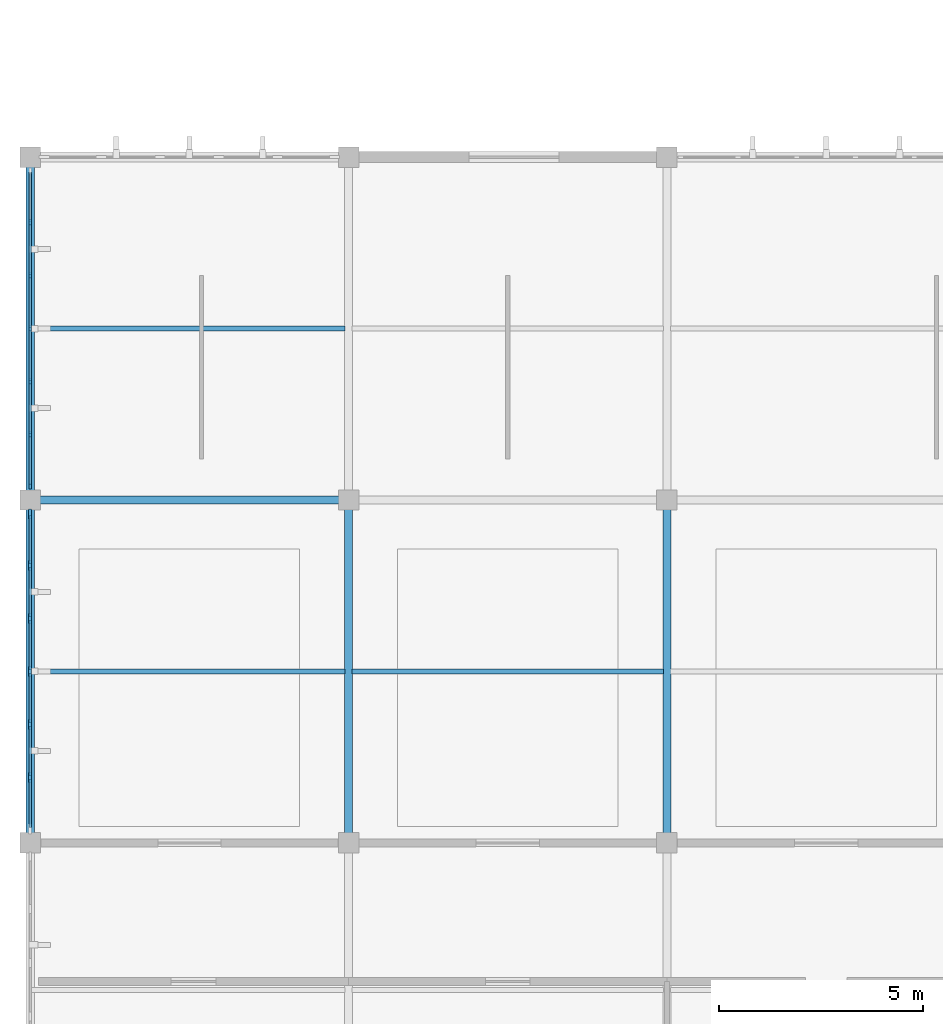
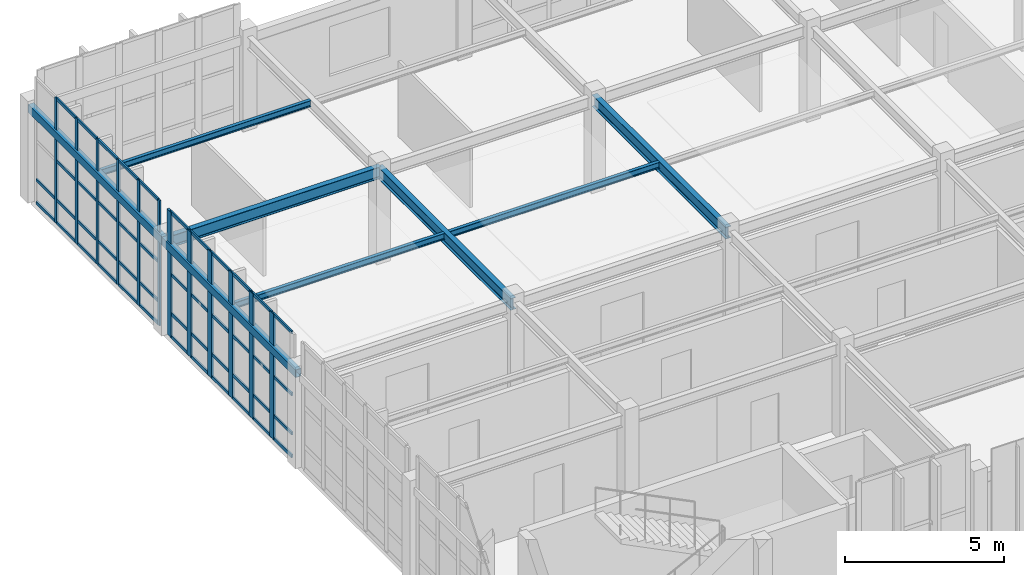
# One storey, part 3 of 20: 58 members, 8 beams, 2 elements without a shape of their own.
"""IFC4 building model written with IfcOpenShell, lengths in metres."""

import ifcopenshell
import ifcopenshell.guid

model = None  # the IFC model being written
_history = None  # IfcOwnerHistory: only IFC2X3 demands one
_inside = {}  # id of a spatial element -> (the spatial element, [elements in it])
_under = {}  # id of a project, library or spatial element -> (it, [spatial elements below it])
_declared = {}  # id of a project -> (the project, [libraries it declares])
_typed = {}  # id of a type object -> (the type object, [elements of that type])
_made_of = {}  # id of a material, layer set ... -> (it, [elements and type objects made of it])


def new_model(schema):
    """Start an empty IFC model of exactly this schema.

    Asked for "IFC4X3", IfcOpenShell would pick the latest addendum, in which some entities
    have other attributes; the version numbers below select the first issue.
    IFC2X3 requires an IfcOwnerHistory on every rooted entity: one is made here for all.
    """
    global model, _history
    if schema == "IFC4X3":
        model = ifcopenshell.file(schema_version=(4, 3, 0, 0))
    else:
        model = ifcopenshell.file(schema=schema)
    _inside.clear()
    _under.clear()
    _declared.clear()
    _typed.clear()
    _made_of.clear()
    _history = None
    if model.schema == "IFC2X3":
        org = make("IfcOrganization", Name="unknown")
        user = make(
            "IfcPersonAndOrganization",
            ThePerson=make("IfcPerson", FamilyName="unknown"),
            TheOrganization=org,
        )
        app = make(
            "IfcApplication",
            ApplicationDeveloper=org,
            Version="unknown",
            ApplicationFullName="unknown",
            ApplicationIdentifier="unknown",
        )
        _history = make(
            "IfcOwnerHistory",
            OwningUser=user,
            OwningApplication=app,
            ChangeAction="ADDED",
            CreationDate=0,
        )
    return model


def make(cls, **values):
    """One entity of the class cls with the attributes given. An attribute that is None is left unset."""
    return model.create_entity(
        cls, **{name: value for name, value in values.items() if value is not None}
    )


def rooted(cls, **values):
    """An entity with a GlobalId (a new one), such as an element, a storey or a relation."""
    return make(cls, GlobalId=ifcopenshell.guid.new(), OwnerHistory=_history, **values)


def si_unit(unit_type, name, prefix=None):
    """IfcSIUnit, for example si_unit("LENGTHUNIT", "METRE", prefix="MILLI")."""
    return make("IfcSIUnit", UnitType=unit_type, Prefix=prefix, Name=name)


def assignment(units):
    """IfcUnitAssignment: the units of a project."""
    return None if units is None else make("IfcUnitAssignment", Units=units)


def point(xyz):
    """IfcCartesianPoint."""
    return None if xyz is None else make("IfcCartesianPoint", Coordinates=xyz)


def direction(xyz):
    """IfcDirection."""
    return None if xyz is None else make("IfcDirection", DirectionRatios=xyz)


def frame(location, z_axis=None, x_axis=None):
    """IfcAxis2Placement3D, a coordinate frame: its origin and axes. An axis left out is left unset."""
    return make(
        "IfcAxis2Placement3D",
        Location=point(location),
        Axis=direction(z_axis),
        RefDirection=direction(x_axis),
    )


def frame_2d(location, x_axis=None):
    """IfcAxis2Placement2D, a coordinate frame in the plane: its origin and x axis."""
    return make(
        "IfcAxis2Placement2D", Location=point(location), RefDirection=direction(x_axis)
    )


def origin():
    """The frame at (0, 0, 0) with its axes left unset."""
    return frame((0.0, 0.0, 0.0))


def origin_2d():
    """The frame at (0, 0) in the plane with its x axis left unset."""
    return frame_2d((0.0, 0.0))


def place(relative_to, where):
    """IfcLocalPlacement: puts the frame where relative to a parent placement (None: the world)."""
    return make(
        "IfcLocalPlacement", PlacementRelTo=relative_to, RelativePlacement=where
    )


def context(
    kind, dimensions, precision=None, world=None, true_north=None, identifier=None
):
    """IfcGeometricRepresentationContext, for example the 3D "Model" context."""
    return make(
        "IfcGeometricRepresentationContext",
        ContextIdentifier=identifier,
        ContextType=kind,
        CoordinateSpaceDimension=dimensions,
        Precision=precision,
        WorldCoordinateSystem=world,
        TrueNorth=true_north,
    )


def subcontext(parent, identifier, kind, view, scale=None):
    """IfcGeometricRepresentationSubContext, for example "Body" below "Model"."""
    return make(
        "IfcGeometricRepresentationSubContext",
        ContextIdentifier=identifier,
        ContextType=kind,
        ParentContext=parent,
        TargetScale=scale,
        TargetView=view,
    )


def project(units=None, contexts=None):
    """IfcProject with its units and contexts."""
    return rooted(
        "IfcProject",
        Name="project",
        RepresentationContexts=contexts,
        UnitsInContext=assignment(units),
    )


def spatial(cls, under=None, at=None, **own):
    """A site, building, storey or space (cls), placed at a placement, below another one or the project."""
    s = rooted(cls, ObjectPlacement=at, **own)
    if under is not None:
        _under.setdefault(under.id(), (under, []))[1].append(s)
    return s


def profile(cls, at=None, kind="AREA", **sizes):
    """A parametric profile (cls). Its sizes go by their IFC names, for example OverallWidth=200.0."""
    return make(cls, ProfileType=kind, Position=at, **sizes)


def rectangle(**sizes):
    """IfcRectangleProfileDef."""
    return profile("IfcRectangleProfileDef", **sizes)


def hollow_rectangle(**sizes):
    """IfcRectangleHollowProfileDef."""
    return profile("IfcRectangleHollowProfileDef", **sizes)


def i_section(**sizes):
    """IfcIShapeProfileDef."""
    return profile("IfcIShapeProfileDef", **sizes)


def extrude(swept, where, along, depth):
    """IfcExtrudedAreaSolid: the profile swept, set in the frame where, extruded along a direction by depth."""
    return make(
        "IfcExtrudedAreaSolid",
        SweptArea=swept,
        Position=where,
        ExtrudedDirection=direction(along),
        Depth=depth,
    )


def shape(context_of_items, identifier, shape_type, items):
    """IfcShapeRepresentation: the items that make up one representation, for example the "Body"."""
    return make(
        "IfcShapeRepresentation",
        ContextOfItems=context_of_items,
        RepresentationIdentifier=identifier,
        RepresentationType=shape_type,
        Items=items,
    )


def material(Name=None, Category=None):
    """IfcMaterial."""
    return make("IfcMaterial", Name=Name, Category=Category)


def material_profile(
    of_material, cross_section, Name=None, Category=None, Priority=None
):
    """IfcMaterialProfile: a cross section and its material."""
    return make(
        "IfcMaterialProfile",
        Name=Name,
        Material=of_material,
        Profile=cross_section,
        Priority=Priority,
        Category=Category,
    )


def profile_set(profiles, Name=None, composite=None):
    """IfcMaterialProfileSet."""
    return make(
        "IfcMaterialProfileSet",
        Name=Name,
        MaterialProfiles=profiles,
        CompositeProfile=composite,
    )


def made_of(thing, what):
    """Note that an element or type object is made of a material, layer set ...; save() writes the relation."""
    if what is not None:
        _made_of.setdefault(what.id(), (what, []))[1].append(thing)
    return thing


def type_object(cls, material=None, **own):
    """A type object (cls), such as IfcWallType, which elements share."""
    return made_of(rooted(cls, **own), material)


def element(
    cls,
    number,
    at=None,
    inside=None,
    cuts=None,
    type_object=None,
    material=None,
    context=None,
    identifier="Body",
    shape_type=None,
    held_by="IfcProductDefinitionShape",
    body=None,
    shapes=None,
    **own,
):
    """One element of the class cls, such as IfcWall. Its Tag is "e" and its number.

    at: its placement. inside: the storey or other place that contains it. cuts: it is an
    opening in that element (IfcRelVoidsElement). A single representation is given by context,
    identifier, shape_type and body (its items); several are given by shapes. held_by: the class
    of the entity that holds the representations. save() writes the other relations.
    """
    e = rooted(cls, Tag="e%d" % number, ObjectPlacement=at, **own)
    if body is not None:
        shapes = [shape(context, identifier, shape_type, body)]
    if shapes is not None:
        e.Representation = make(held_by, Representations=shapes)
    if inside is not None:
        _inside.setdefault(inside.id(), (inside, []))[1].append(e)
    if cuts is not None:
        rooted(
            "IfcRelVoidsElement", RelatingBuildingElement=cuts, RelatedOpeningElement=e
        )
    if type_object is not None:
        _typed.setdefault(type_object.id(), (type_object, []))[1].append(e)
    return made_of(e, material)


def aggregate(whole, parts):
    """IfcRelAggregates: a whole, such as a stair, and the parts it consists of."""
    return rooted("IfcRelAggregates", RelatingObject=whole, RelatedObjects=parts)


def save(model, path):
    """Write the relations noted so far, then the file.

    IfcRelAggregates (storeys below a building ...), IfcRelContainedInSpatialStructure (elements
    in a storey), IfcRelDefinesByType, IfcRelAssociatesMaterial and IfcRelDeclares: one each for
    every whole, place, type object, material and project.
    """
    for whole, parts in _under.values():
        aggregate(whole, parts)
    for where, things in _inside.values():
        rooted(
            "IfcRelContainedInSpatialStructure",
            RelatedElements=things,
            RelatingStructure=where,
        )
    for kind, things in _typed.values():
        rooted("IfcRelDefinesByType", RelatedObjects=things, RelatingType=kind)
    for what, things in _made_of.values():
        rooted("IfcRelAssociatesMaterial", RelatedObjects=things, RelatingMaterial=what)
    for by, libraries in _declared.values():
        rooted("IfcRelDeclares", RelatingContext=by, RelatedDefinitions=libraries)
    model.write(path)


model = new_model("IFC4")

# Units and contexts
model_context = context("Model", 3, precision=1e-05, world=origin(), true_north=direction((0.0, 1.0)))
body_context = subcontext(model_context, "Body", "Model", "MODEL_VIEW")
ifc_project = project(units=[si_unit("LENGTHUNIT", "METRE"), si_unit("AREAUNIT", "SQUARE_METRE"), si_unit("VOLUMEUNIT", "CUBIC_METRE"), si_unit("PLANEANGLEUNIT", "RADIAN"), si_unit("MASSUNIT", "GRAM", prefix="KILO")], contexts=[model_context])

# Site, building, storey
site_placement = place(None, origin())
site = spatial("IfcSite", under=ifc_project, at=site_placement, CompositionType="ELEMENT")
building_placement = place(site_placement, origin())
building = spatial("IfcBuilding", under=site, at=building_placement, Name="Tizgana Railside Sports Hall", CompositionType="ELEMENT")
storey_placement = place(building_placement, frame((0.0, 0.0, 19.800048828125)))
storey = spatial("IfcBuildingStorey", under=building, at=storey_placement, Name="L04", CompositionType="ELEMENT", Elevation=19.800048828125)

# Curtain wall, members
ifc_material_1 = material(Name="Anodised aluminium and glass", Category="aluminium")
curtain_wall_type_1 = type_object("IfcCurtainWallType", Name="Unitised Curtain Wall Concourse 1500", PredefinedType="NOTDEFINED", material=ifc_material_1)
curtain_wall_1_placement = place(storey_placement, origin())
curtain_wall_1 = element("IfcCurtainWall", 1, at=curtain_wall_1_placement, inside=storey, type_object=curtain_wall_type_1, Name="L04 Curtain Wall CW-0144", PredefinedType="NOTDEFINED")
ifc_material_2 = material(Name="Anodised aluminium", Category="aluminium")
ifc_material_profile_1 = material_profile(ifc_material_2, rectangle(XDim=0.06005859375, YDim=0.139892578125, at=origin_2d()), Name="Mullion 60x140")
ifc_profile_set_1 = profile_set([ifc_material_profile_1], Name="Anodised aluminium")
member_type_1 = type_object("IfcMemberType", Name="Mullion 60x140", PredefinedType="MULLION", material=ifc_profile_set_1)
member_1_placement = place(storey_placement, frame((7.800048828125, 30.796630859375, 0.0), z_axis=(0.0, 0.0, 1.0), x_axis=(1.0, 0.0, 0.0)))
member_1 = element("IfcMember", 2, at=member_1_placement, type_object=member_type_1, Name="CW-01 mullion 2", PredefinedType="MULLION", context=body_context, shape_type="SweptSolid", body=[
    extrude(rectangle(XDim=0.06005859375, YDim=0.139892578125, at=origin_2d()), origin(), (0.0, 0.0, 1.0), 4.800048828125),
])
member_2_placement = place(storey_placement, frame((7.800048828125, 29.498291015625, 0.0), z_axis=(0.0, 0.0, 1.0), x_axis=(1.0, 0.0, 0.0)))
member_2 = element("IfcMember", 3, at=member_2_placement, type_object=member_type_1, Name="CW-01 mullion 3", PredefinedType="MULLION", context=body_context, shape_type="SweptSolid", body=[
    extrude(rectangle(XDim=0.06005859375, YDim=0.139892578125, at=origin_2d()), origin(), (0.0, 0.0, 1.0), 4.800048828125),
])
member_3_placement = place(storey_placement, frame((7.800048828125, 28.199951171875, 0.0), z_axis=(0.0, 0.0, 1.0), x_axis=(1.0, 0.0, 0.0)))
member_3 = element("IfcMember", 4, at=member_3_placement, type_object=member_type_1, Name="CW-01 mullion 4", PredefinedType="MULLION", context=body_context, shape_type="SweptSolid", body=[
    extrude(rectangle(XDim=0.06005859375, YDim=0.139892578125, at=origin_2d()), origin(), (0.0, 0.0, 1.0), 4.800048828125),
])
member_4_placement = place(storey_placement, frame((7.800048828125, 26.901611328125, 0.0), z_axis=(0.0, 0.0, 1.0), x_axis=(1.0, 0.0, 0.0)))
member_4 = element("IfcMember", 5, at=member_4_placement, type_object=member_type_1, Name="CW-01 mullion 5", PredefinedType="MULLION", context=body_context, shape_type="SweptSolid", body=[
    extrude(rectangle(XDim=0.06005859375, YDim=0.139892578125, at=origin_2d()), origin(), (0.0, 0.0, 1.0), 4.800048828125),
])
member_5_placement = place(storey_placement, frame((7.800048828125, 25.603271484375, 0.0), z_axis=(0.0, 0.0, 1.0), x_axis=(1.0, 0.0, 0.0)))
member_5 = element("IfcMember", 6, at=member_5_placement, type_object=member_type_1, Name="CW-01 mullion 6", PredefinedType="MULLION", context=body_context, shape_type="SweptSolid", body=[
    extrude(rectangle(XDim=0.06005859375, YDim=0.139892578125, at=origin_2d()), origin(), (0.0, 0.0, 1.0), 4.800048828125),
])
member_6_placement = place(storey_placement, frame((7.800048828125, 24.3349609375, 0.0), z_axis=(0.0, 0.0, 1.0), x_axis=(1.0, 0.0, 0.0)))
member_6 = element("IfcMember", 7, at=member_6_placement, type_object=member_type_1, Name="CW-01 mullion 7", PredefinedType="MULLION", context=body_context, shape_type="SweptSolid", body=[
    extrude(rectangle(XDim=0.06005859375, YDim=0.139892578125, at=origin_2d()), origin(), (0.0, 0.0, 1.0), 4.800048828125),
])

curtain_wall_type_2 = type_object("IfcCurtainWallType", Name="Unitised Curtain Wall EastHall 1500", PredefinedType="NOTDEFINED", material=ifc_material_1)
curtain_wall_2_placement = place(storey_placement, origin())
curtain_wall_2 = element("IfcCurtainWall", 8, at=curtain_wall_2_placement, inside=storey, type_object=curtain_wall_type_2, Name="L04 Curtain Wall CW-0143", PredefinedType="NOTDEFINED")
ifc_material_profile_2 = material_profile(ifc_material_2, rectangle(XDim=0.074951171875, YDim=0.25, at=origin_2d()), Name="Mullion 75x250")
ifc_profile_set_2 = profile_set([ifc_material_profile_2], Name="Anodised aluminium")
member_type_2 = type_object("IfcMemberType", Name="Mullion 75x250", PredefinedType="MULLION", material=ifc_profile_set_2)
member_7_placement = place(storey_placement, frame((7.800048828125, 23.657470703125, 0.0), z_axis=(0.0, 0.0, 1.0), x_axis=(1.0, 0.0, 0.0)))
member_7 = element("IfcMember", 9, at=member_7_placement, type_object=member_type_2, Name="CW-08 mullion 1", PredefinedType="MULLION", context=body_context, shape_type="SweptSolid", body=[
    extrude(rectangle(XDim=0.074951171875, YDim=0.25, at=origin_2d()), origin(), (0.0, 0.0, 1.0), 4.800048828125),
])
member_8_placement = place(storey_placement, frame((7.800048828125, 22.396728515625, 0.0), z_axis=(0.0, 0.0, 1.0), x_axis=(1.0, 0.0, 0.0)))
member_8 = element("IfcMember", 10, at=member_8_placement, type_object=member_type_2, Name="CW-08 mullion 2", PredefinedType="MULLION", context=body_context, shape_type="SweptSolid", body=[
    extrude(rectangle(XDim=0.074951171875, YDim=0.25, at=origin_2d()), origin(), (0.0, 0.0, 1.0), 4.800048828125),
])
member_9_placement = place(storey_placement, frame((7.800048828125, 21.098388671875, 0.0), z_axis=(0.0, 0.0, 1.0), x_axis=(1.0, 0.0, 0.0)))
member_9 = element("IfcMember", 11, at=member_9_placement, type_object=member_type_2, Name="CW-08 mullion 3", PredefinedType="MULLION", context=body_context, shape_type="SweptSolid", body=[
    extrude(rectangle(XDim=0.074951171875, YDim=0.25, at=origin_2d()), origin(), (0.0, 0.0, 1.0), 4.800048828125),
])
member_10_placement = place(storey_placement, frame((7.800048828125, 19.800048828125, 0.0), z_axis=(0.0, 0.0, 1.0), x_axis=(1.0, 0.0, 0.0)))
member_10 = element("IfcMember", 12, at=member_10_placement, type_object=member_type_2, Name="CW-08 mullion 4", PredefinedType="MULLION", context=body_context, shape_type="SweptSolid", body=[
    extrude(rectangle(XDim=0.074951171875, YDim=0.25, at=origin_2d()), origin(), (0.0, 0.0, 1.0), 4.800048828125),
])
member_11_placement = place(storey_placement, frame((7.800048828125, 18.501708984375, 0.0), z_axis=(0.0, 0.0, 1.0), x_axis=(1.0, 0.0, 0.0)))
member_11 = element("IfcMember", 13, at=member_11_placement, type_object=member_type_2, Name="CW-08 mullion 5", PredefinedType="MULLION", context=body_context, shape_type="SweptSolid", body=[
    extrude(rectangle(XDim=0.074951171875, YDim=0.25, at=origin_2d()), origin(), (0.0, 0.0, 1.0), 4.800048828125),
])
member_12_placement = place(storey_placement, frame((7.800048828125, 17.203369140625, 0.0), z_axis=(0.0, 0.0, 1.0), x_axis=(1.0, 0.0, 0.0)))
member_12 = element("IfcMember", 14, at=member_12_placement, type_object=member_type_2, Name="CW-08 mullion 6", PredefinedType="MULLION", context=body_context, shape_type="SweptSolid", body=[
    extrude(rectangle(XDim=0.074951171875, YDim=0.25, at=origin_2d()), origin(), (0.0, 0.0, 1.0), 4.800048828125),
])

# Beams
ifc_material_3 = material(Name="Steel S355J2", Category="steel")
ifc_material_profile_3 = material_profile(ifc_material_3, i_section(OverallWidth=0.18994140625, OverallDepth=0.449951171875, WebThickness=0.009521484375, FlangeThickness=0.0146484375, FilletRadius=0.02099609375, at=origin_2d()), Name="IPE 450")
ifc_profile_set_3 = profile_set([ifc_material_profile_3], Name="Steel S355J2")
beam_type_1 = type_object("IfcBeamType", Name="Steel Beam IPE 450", PredefinedType="BEAM", material=ifc_profile_set_3)
for number, where, z_axis, x_axis, name in (
    (15, (15.60009765625, 15.60009765625, 3.370849609375), (0.0, 1.0, 0.0), (-1.0, 0.0, 0.0), "L04 BEM-0790"),
    (16, (23.39990234375, 15.60009765625, 3.370849609375), (0.0, 1.0, 0.0), (-1.0, 0.0, 0.0), "L04 BEM-0794"),
):
    element("IfcBeam", number, at=place(storey_placement, frame(where, z_axis=z_axis, x_axis=x_axis)), inside=storey, type_object=beam_type_1, Name=name, PredefinedType="BEAM", context=body_context, shape_type="SweptSolid", body=[
        extrude(i_section(OverallWidth=0.18994140625, OverallDepth=0.449951171875, WebThickness=0.009521484375, FlangeThickness=0.0146484375, FilletRadius=0.02099609375, at=origin_2d()), origin(), (0.0, 0.0, 1.0), 8.39990234375),
    ])
beam_1_placement = place(storey_placement, frame((7.800048828125, 24.0, 3.370849609375), z_axis=(1.0, 0.0, 0.0), x_axis=(0.0, 1.0, 0.0)))
element("IfcBeam", 17, at=beam_1_placement, inside=storey, type_object=beam_type_1, Name="L04 BEM-0816", PredefinedType="BEAM", context=body_context, shape_type="SweptSolid", body=[
    extrude(i_section(OverallWidth=0.18994140625, OverallDepth=0.449951171875, WebThickness=0.009521484375, FlangeThickness=0.0146484375, FilletRadius=0.02099609375, at=origin_2d()), origin(), (0.0, 0.0, 1.0), 7.800048828125),
])
ifc_material_profile_4 = material_profile(ifc_material_3, i_section(OverallWidth=0.1201171875, OverallDepth=0.239990234375, WebThickness=0.006103515625, FlangeThickness=0.009765625, FilletRadius=0.014892578125, at=origin_2d()), Name="IPE 240")
ifc_profile_set_4 = profile_set([ifc_material_profile_4], Name="Steel S355J2")
beam_type_2 = type_object("IfcBeamType", Name="Steel Joist IPE 240", PredefinedType="JOIST", material=ifc_profile_set_4)
for number, where, z_axis, x_axis, name in (
    (18, (7.800048828125, 19.800048828125, 3.475830078125), (1.0, 0.0, 0.0), (0.0, 1.0, 0.0), "L04 BEM-0819"),
    (19, (7.800048828125, 28.199951171875, 3.475830078125), (1.0, 0.0, 0.0), (0.0, 1.0, 0.0), "L04 BEM-0820"),
):
    element("IfcBeam", number, at=place(storey_placement, frame(where, z_axis=z_axis, x_axis=x_axis)), inside=storey, type_object=beam_type_2, Name=name, PredefinedType="JOIST", context=body_context, shape_type="SweptSolid", body=[
        extrude(i_section(OverallWidth=0.1201171875, OverallDepth=0.239990234375, WebThickness=0.006103515625, FlangeThickness=0.009765625, FilletRadius=0.014892578125, at=origin_2d()), origin(), (0.0, 0.0, 1.0), 7.7099609375),
    ])
beam_2_placement = place(storey_placement, frame((15.68994140625, 19.800048828125, 3.475830078125), z_axis=(1.0, 0.0, 0.0), x_axis=(0.0, 1.0, 0.0)))
element("IfcBeam", 20, at=beam_2_placement, inside=storey, type_object=beam_type_2, Name="L04 BEM-0826", PredefinedType="JOIST", context=body_context, shape_type="SweptSolid", body=[
    extrude(i_section(OverallWidth=0.1201171875, OverallDepth=0.239990234375, WebThickness=0.006103515625, FlangeThickness=0.009765625, FilletRadius=0.014892578125, at=origin_2d()), origin(), (0.0, 0.0, 1.0), 7.6201171875),
])
ifc_material_profile_5 = material_profile(ifc_material_3, hollow_rectangle(XDim=0.199951171875, YDim=0.300048828125, WallThickness=0.010009765625, at=origin_2d()), Name="RHS 300x200x10")
ifc_profile_set_5 = profile_set([ifc_material_profile_5], Name="Steel S355J2")
beam_type_3 = type_object("IfcBeamType", Name="Steel Spandrel RHS 300x200x10", PredefinedType="SPANDREL", material=ifc_profile_set_5)
for number, where, z_axis, x_axis, name in (
    (21, (7.800048828125, 15.60009765625, 3.446044921875), (0.0, 1.0, 0.0), (-1.0, 0.0, 0.0), "L04 BEM-0787"),
    (22, (7.800048828125, 24.0, 3.446044921875), (0.0, 1.0, 0.0), (-1.0, 0.0, 0.0), "L04 BEM-0788"),
):
    element("IfcBeam", number, at=place(storey_placement, frame(where, z_axis=z_axis, x_axis=x_axis)), inside=storey, type_object=beam_type_3, Name=name, PredefinedType="SPANDREL", context=body_context, shape_type="SweptSolid", body=[
        extrude(hollow_rectangle(XDim=0.199951171875, YDim=0.300048828125, WallThickness=0.010009765625, at=origin_2d()), origin(), (0.0, 0.0, 1.0), 8.39990234375),
    ])

# Member
ifc_material_profile_6 = material_profile(ifc_material_2, rectangle(XDim=0.054931640625, YDim=0.1201171875, at=origin_2d()), Name="Transom 55x120")
ifc_profile_set_6 = profile_set([ifc_material_profile_6], Name="Anodised aluminium")
member_type_3 = type_object("IfcMemberType", Name="Transom 55x120", PredefinedType="USERDEFINED", material=ifc_profile_set_6)
member_13_placement = place(storey_placement, frame((7.800048828125, 23.6201171875, 0.02734375), z_axis=(0.0, -1.0, 0.0), x_axis=(1.0, 0.0, 0.0)))
member_13 = element("IfcMember", 23, at=member_13_placement, type_object=member_type_3, Name="CW-08 transom 1.1", ObjectType="TRANSOM", PredefinedType="USERDEFINED", context=body_context, shape_type="SweptSolid", body=[
    extrude(rectangle(XDim=0.054931640625, YDim=0.1201171875, at=origin_2d()), origin(), (0.0, 0.0, 1.0), 1.18603515625),
])

member_14_placement = place(storey_placement, frame((7.800048828125, 23.6201171875, 0.89990234375), z_axis=(0.0, -1.0, 0.0), x_axis=(1.0, 0.0, 0.0)))
member_14 = element("IfcMember", 24, at=member_14_placement, type_object=member_type_3, Name="CW-08 transom 1.2", ObjectType="TRANSOM", PredefinedType="USERDEFINED", context=body_context, shape_type="SweptSolid", body=[
    extrude(rectangle(XDim=0.054931640625, YDim=0.1201171875, at=origin_2d()), origin(), (0.0, 0.0, 1.0), 1.18603515625),
])

member_15_placement = place(storey_placement, frame((7.800048828125, 23.6201171875, 2.39990234375), z_axis=(0.0, -1.0, 0.0), x_axis=(1.0, 0.0, 0.0)))
member_15 = element("IfcMember", 25, at=member_15_placement, type_object=member_type_3, Name="CW-08 transom 1.3", ObjectType="TRANSOM", PredefinedType="USERDEFINED", context=body_context, shape_type="SweptSolid", body=[
    extrude(rectangle(XDim=0.054931640625, YDim=0.1201171875, at=origin_2d()), origin(), (0.0, 0.0, 1.0), 1.18603515625),
])

member_16_placement = place(storey_placement, frame((7.800048828125, 23.6201171875, 4.7724609375), z_axis=(0.0, -1.0, 0.0), x_axis=(1.0, 0.0, 0.0)))
member_16 = element("IfcMember", 26, at=member_16_placement, type_object=member_type_3, Name="CW-08 transom 1.4", ObjectType="TRANSOM", PredefinedType="USERDEFINED", context=body_context, shape_type="SweptSolid", body=[
    extrude(rectangle(XDim=0.054931640625, YDim=0.1201171875, at=origin_2d()), origin(), (0.0, 0.0, 1.0), 1.18603515625),
])

member_17_placement = place(storey_placement, frame((7.800048828125, 22.359130859375, 0.02734375), z_axis=(0.0, -1.0, 0.0), x_axis=(1.0, 0.0, 0.0)))
member_17 = element("IfcMember", 27, at=member_17_placement, type_object=member_type_3, Name="CW-08 transom 2.1", ObjectType="TRANSOM", PredefinedType="USERDEFINED", context=body_context, shape_type="SweptSolid", body=[
    extrude(rectangle(XDim=0.054931640625, YDim=0.1201171875, at=origin_2d()), origin(), (0.0, 0.0, 1.0), 1.223388671875),
])

member_18_placement = place(storey_placement, frame((7.800048828125, 22.359130859375, 0.89990234375), z_axis=(0.0, -1.0, 0.0), x_axis=(1.0, 0.0, 0.0)))
member_18 = element("IfcMember", 28, at=member_18_placement, type_object=member_type_3, Name="CW-08 transom 2.2", ObjectType="TRANSOM", PredefinedType="USERDEFINED", context=body_context, shape_type="SweptSolid", body=[
    extrude(rectangle(XDim=0.054931640625, YDim=0.1201171875, at=origin_2d()), origin(), (0.0, 0.0, 1.0), 1.223388671875),
])

member_19_placement = place(storey_placement, frame((7.800048828125, 22.359130859375, 2.39990234375), z_axis=(0.0, -1.0, 0.0), x_axis=(1.0, 0.0, 0.0)))
member_19 = element("IfcMember", 29, at=member_19_placement, type_object=member_type_3, Name="CW-08 transom 2.3", ObjectType="TRANSOM", PredefinedType="USERDEFINED", context=body_context, shape_type="SweptSolid", body=[
    extrude(rectangle(XDim=0.054931640625, YDim=0.1201171875, at=origin_2d()), origin(), (0.0, 0.0, 1.0), 1.223388671875),
])

member_20_placement = place(storey_placement, frame((7.800048828125, 22.359130859375, 4.7724609375), z_axis=(0.0, -1.0, 0.0), x_axis=(1.0, 0.0, 0.0)))
member_20 = element("IfcMember", 30, at=member_20_placement, type_object=member_type_3, Name="CW-08 transom 2.4", ObjectType="TRANSOM", PredefinedType="USERDEFINED", context=body_context, shape_type="SweptSolid", body=[
    extrude(rectangle(XDim=0.054931640625, YDim=0.1201171875, at=origin_2d()), origin(), (0.0, 0.0, 1.0), 1.223388671875),
])

member_21_placement = place(storey_placement, frame((7.800048828125, 21.060791015625, 0.02734375), z_axis=(0.0, -1.0, 0.0), x_axis=(1.0, 0.0, 0.0)))
member_21 = element("IfcMember", 31, at=member_21_placement, type_object=member_type_3, Name="CW-08 transom 3.1", ObjectType="TRANSOM", PredefinedType="USERDEFINED", context=body_context, shape_type="SweptSolid", body=[
    extrude(rectangle(XDim=0.054931640625, YDim=0.1201171875, at=origin_2d()), origin(), (0.0, 0.0, 1.0), 1.223388671875),
])

member_22_placement = place(storey_placement, frame((7.800048828125, 21.060791015625, 0.89990234375), z_axis=(0.0, -1.0, 0.0), x_axis=(1.0, 0.0, 0.0)))
member_22 = element("IfcMember", 32, at=member_22_placement, type_object=member_type_3, Name="CW-08 transom 3.2", ObjectType="TRANSOM", PredefinedType="USERDEFINED", context=body_context, shape_type="SweptSolid", body=[
    extrude(rectangle(XDim=0.054931640625, YDim=0.1201171875, at=origin_2d()), origin(), (0.0, 0.0, 1.0), 1.223388671875),
])

member_23_placement = place(storey_placement, frame((7.800048828125, 21.060791015625, 2.39990234375), z_axis=(0.0, -1.0, 0.0), x_axis=(1.0, 0.0, 0.0)))
member_23 = element("IfcMember", 33, at=member_23_placement, type_object=member_type_3, Name="CW-08 transom 3.3", ObjectType="TRANSOM", PredefinedType="USERDEFINED", context=body_context, shape_type="SweptSolid", body=[
    extrude(rectangle(XDim=0.054931640625, YDim=0.1201171875, at=origin_2d()), origin(), (0.0, 0.0, 1.0), 1.223388671875),
])

member_24_placement = place(storey_placement, frame((7.800048828125, 21.060791015625, 4.7724609375), z_axis=(0.0, -1.0, 0.0), x_axis=(1.0, 0.0, 0.0)))
member_24 = element("IfcMember", 34, at=member_24_placement, type_object=member_type_3, Name="CW-08 transom 3.4", ObjectType="TRANSOM", PredefinedType="USERDEFINED", context=body_context, shape_type="SweptSolid", body=[
    extrude(rectangle(XDim=0.054931640625, YDim=0.1201171875, at=origin_2d()), origin(), (0.0, 0.0, 1.0), 1.223388671875),
])

member_25_placement = place(storey_placement, frame((7.800048828125, 19.762451171875, 0.02734375), z_axis=(0.0, -1.0, 0.0), x_axis=(1.0, 0.0, 0.0)))
member_25 = element("IfcMember", 35, at=member_25_placement, type_object=member_type_3, Name="CW-08 transom 4.1", ObjectType="TRANSOM", PredefinedType="USERDEFINED", context=body_context, shape_type="SweptSolid", body=[
    extrude(rectangle(XDim=0.054931640625, YDim=0.1201171875, at=origin_2d()), origin(), (0.0, 0.0, 1.0), 1.223388671875),
])

member_26_placement = place(storey_placement, frame((7.800048828125, 19.762451171875, 0.89990234375), z_axis=(0.0, -1.0, 0.0), x_axis=(1.0, 0.0, 0.0)))
member_26 = element("IfcMember", 36, at=member_26_placement, type_object=member_type_3, Name="CW-08 transom 4.2", ObjectType="TRANSOM", PredefinedType="USERDEFINED", context=body_context, shape_type="SweptSolid", body=[
    extrude(rectangle(XDim=0.054931640625, YDim=0.1201171875, at=origin_2d()), origin(), (0.0, 0.0, 1.0), 1.223388671875),
])

member_27_placement = place(storey_placement, frame((7.800048828125, 19.762451171875, 2.39990234375), z_axis=(0.0, -1.0, 0.0), x_axis=(1.0, 0.0, 0.0)))
member_27 = element("IfcMember", 37, at=member_27_placement, type_object=member_type_3, Name="CW-08 transom 4.3", ObjectType="TRANSOM", PredefinedType="USERDEFINED", context=body_context, shape_type="SweptSolid", body=[
    extrude(rectangle(XDim=0.054931640625, YDim=0.1201171875, at=origin_2d()), origin(), (0.0, 0.0, 1.0), 1.223388671875),
])

member_28_placement = place(storey_placement, frame((7.800048828125, 19.762451171875, 4.7724609375), z_axis=(0.0, -1.0, 0.0), x_axis=(1.0, 0.0, 0.0)))
member_28 = element("IfcMember", 38, at=member_28_placement, type_object=member_type_3, Name="CW-08 transom 4.4", ObjectType="TRANSOM", PredefinedType="USERDEFINED", context=body_context, shape_type="SweptSolid", body=[
    extrude(rectangle(XDim=0.054931640625, YDim=0.1201171875, at=origin_2d()), origin(), (0.0, 0.0, 1.0), 1.223388671875),
])

member_29_placement = place(storey_placement, frame((7.800048828125, 18.464111328125, 0.02734375), z_axis=(0.0, -1.0, 0.0), x_axis=(1.0, 0.0, 0.0)))
member_29 = element("IfcMember", 39, at=member_29_placement, type_object=member_type_3, Name="CW-08 transom 5.1", ObjectType="TRANSOM", PredefinedType="USERDEFINED", context=body_context, shape_type="SweptSolid", body=[
    extrude(rectangle(XDim=0.054931640625, YDim=0.1201171875, at=origin_2d()), origin(), (0.0, 0.0, 1.0), 1.223388671875),
])

member_30_placement = place(storey_placement, frame((7.800048828125, 18.464111328125, 0.89990234375), z_axis=(0.0, -1.0, 0.0), x_axis=(1.0, 0.0, 0.0)))
member_30 = element("IfcMember", 40, at=member_30_placement, type_object=member_type_3, Name="CW-08 transom 5.2", ObjectType="TRANSOM", PredefinedType="USERDEFINED", context=body_context, shape_type="SweptSolid", body=[
    extrude(rectangle(XDim=0.054931640625, YDim=0.1201171875, at=origin_2d()), origin(), (0.0, 0.0, 1.0), 1.223388671875),
])

member_31_placement = place(storey_placement, frame((7.800048828125, 18.464111328125, 2.39990234375), z_axis=(0.0, -1.0, 0.0), x_axis=(1.0, 0.0, 0.0)))
member_31 = element("IfcMember", 41, at=member_31_placement, type_object=member_type_3, Name="CW-08 transom 5.3", ObjectType="TRANSOM", PredefinedType="USERDEFINED", context=body_context, shape_type="SweptSolid", body=[
    extrude(rectangle(XDim=0.054931640625, YDim=0.1201171875, at=origin_2d()), origin(), (0.0, 0.0, 1.0), 1.223388671875),
])

member_32_placement = place(storey_placement, frame((7.800048828125, 18.464111328125, 4.7724609375), z_axis=(0.0, -1.0, 0.0), x_axis=(1.0, 0.0, 0.0)))
member_32 = element("IfcMember", 42, at=member_32_placement, type_object=member_type_3, Name="CW-08 transom 5.4", ObjectType="TRANSOM", PredefinedType="USERDEFINED", context=body_context, shape_type="SweptSolid", body=[
    extrude(rectangle(XDim=0.054931640625, YDim=0.1201171875, at=origin_2d()), origin(), (0.0, 0.0, 1.0), 1.223388671875),
])

member_33_placement = place(storey_placement, frame((7.800048828125, 17.165771484375, 0.02734375), z_axis=(0.0, -1.0, 0.0), x_axis=(1.0, 0.0, 0.0)))
member_33 = element("IfcMember", 43, at=member_33_placement, type_object=member_type_3, Name="CW-08 transom 6.1", ObjectType="TRANSOM", PredefinedType="USERDEFINED", context=body_context, shape_type="SweptSolid", body=[
    extrude(rectangle(XDim=0.054931640625, YDim=0.1201171875, at=origin_2d()), origin(), (0.0, 0.0, 1.0), 1.185791015625),
])

member_34_placement = place(storey_placement, frame((7.800048828125, 17.165771484375, 0.89990234375), z_axis=(0.0, -1.0, 0.0), x_axis=(1.0, 0.0, 0.0)))
member_34 = element("IfcMember", 44, at=member_34_placement, type_object=member_type_3, Name="CW-08 transom 6.2", ObjectType="TRANSOM", PredefinedType="USERDEFINED", context=body_context, shape_type="SweptSolid", body=[
    extrude(rectangle(XDim=0.054931640625, YDim=0.1201171875, at=origin_2d()), origin(), (0.0, 0.0, 1.0), 1.185791015625),
])

member_35_placement = place(storey_placement, frame((7.800048828125, 17.165771484375, 2.39990234375), z_axis=(0.0, -1.0, 0.0), x_axis=(1.0, 0.0, 0.0)))
member_35 = element("IfcMember", 45, at=member_35_placement, type_object=member_type_3, Name="CW-08 transom 6.3", ObjectType="TRANSOM", PredefinedType="USERDEFINED", context=body_context, shape_type="SweptSolid", body=[
    extrude(rectangle(XDim=0.054931640625, YDim=0.1201171875, at=origin_2d()), origin(), (0.0, 0.0, 1.0), 1.185791015625),
])

member_36_placement = place(storey_placement, frame((7.800048828125, 17.165771484375, 4.7724609375), z_axis=(0.0, -1.0, 0.0), x_axis=(1.0, 0.0, 0.0)))
member_36 = element("IfcMember", 46, at=member_36_placement, type_object=member_type_3, Name="CW-08 transom 6.4", ObjectType="TRANSOM", PredefinedType="USERDEFINED", context=body_context, shape_type="SweptSolid", body=[
    extrude(rectangle(XDim=0.054931640625, YDim=0.1201171875, at=origin_2d()), origin(), (0.0, 0.0, 1.0), 1.185791015625),
])

aggregate(curtain_wall_2, [member_7, member_8, member_9, member_10, member_11, member_12, member_13, member_14, member_15, member_16, member_17, member_18, member_19, member_20, member_21, member_22, member_23, member_24, member_25, member_26, member_27, member_28, member_29, member_30, member_31, member_32, member_33, member_34, member_35, member_36])

ifc_material_profile_7 = material_profile(ifc_material_2, rectangle(XDim=0.06005859375, YDim=0.110107421875, at=origin_2d()), Name="Transom 60x110")
ifc_profile_set_7 = profile_set([ifc_material_profile_7], Name="Anodised aluminium")
member_type_4 = type_object("IfcMemberType", Name="Transom 60x110", PredefinedType="USERDEFINED", material=ifc_profile_set_7)
member_37_placement = place(storey_placement, frame((7.800048828125, 32.034912109375, 0.030029296875), z_axis=(0.0, -1.0, 0.0), x_axis=(1.0, 0.0, 0.0)))
member_37 = element("IfcMember", 47, at=member_37_placement, type_object=member_type_4, Name="CW-01 transom 1.1", ObjectType="TRANSOM", PredefinedType="USERDEFINED", context=body_context, shape_type="SweptSolid", body=[
    extrude(rectangle(XDim=0.06005859375, YDim=0.110107421875, at=origin_2d()), origin(), (0.0, 0.0, 1.0), 1.208251953125),
])

member_38_placement = place(storey_placement, frame((7.800048828125, 32.034912109375, 0.89990234375), z_axis=(0.0, -1.0, 0.0), x_axis=(1.0, 0.0, 0.0)))
member_38 = element("IfcMember", 48, at=member_38_placement, type_object=member_type_4, Name="CW-01 transom 1.2", ObjectType="TRANSOM", PredefinedType="USERDEFINED", context=body_context, shape_type="SweptSolid", body=[
    extrude(rectangle(XDim=0.06005859375, YDim=0.110107421875, at=origin_2d()), origin(), (0.0, 0.0, 1.0), 1.208251953125),
])

member_39_placement = place(storey_placement, frame((7.800048828125, 30.7666015625, 0.030029296875), z_axis=(0.0, -1.0, 0.0), x_axis=(1.0, 0.0, 0.0)))
member_39 = element("IfcMember", 49, at=member_39_placement, type_object=member_type_4, Name="CW-01 transom 2.1", ObjectType="TRANSOM", PredefinedType="USERDEFINED", context=body_context, shape_type="SweptSolid", body=[
    extrude(rectangle(XDim=0.06005859375, YDim=0.110107421875, at=origin_2d()), origin(), (0.0, 0.0, 1.0), 1.23828125),
])

member_40_placement = place(storey_placement, frame((7.800048828125, 30.7666015625, 0.89990234375), z_axis=(0.0, -1.0, 0.0), x_axis=(1.0, 0.0, 0.0)))
member_40 = element("IfcMember", 50, at=member_40_placement, type_object=member_type_4, Name="CW-01 transom 2.2", ObjectType="TRANSOM", PredefinedType="USERDEFINED", context=body_context, shape_type="SweptSolid", body=[
    extrude(rectangle(XDim=0.06005859375, YDim=0.110107421875, at=origin_2d()), origin(), (0.0, 0.0, 1.0), 1.23828125),
])

member_41_placement = place(storey_placement, frame((7.800048828125, 30.7666015625, 2.39990234375), z_axis=(0.0, -1.0, 0.0), x_axis=(1.0, 0.0, 0.0)))
member_41 = element("IfcMember", 51, at=member_41_placement, type_object=member_type_4, Name="CW-01 transom 2.3", ObjectType="TRANSOM", PredefinedType="USERDEFINED", context=body_context, shape_type="SweptSolid", body=[
    extrude(rectangle(XDim=0.06005859375, YDim=0.110107421875, at=origin_2d()), origin(), (0.0, 0.0, 1.0), 1.23828125),
])

member_42_placement = place(storey_placement, frame((7.800048828125, 30.7666015625, 4.77001953125), z_axis=(0.0, -1.0, 0.0), x_axis=(1.0, 0.0, 0.0)))
member_42 = element("IfcMember", 52, at=member_42_placement, type_object=member_type_4, Name="CW-01 transom 2.4", ObjectType="TRANSOM", PredefinedType="USERDEFINED", context=body_context, shape_type="SweptSolid", body=[
    extrude(rectangle(XDim=0.06005859375, YDim=0.110107421875, at=origin_2d()), origin(), (0.0, 0.0, 1.0), 1.23828125),
])

member_43_placement = place(storey_placement, frame((7.800048828125, 29.46826171875, 0.030029296875), z_axis=(0.0, -1.0, 0.0), x_axis=(1.0, 0.0, 0.0)))
member_43 = element("IfcMember", 53, at=member_43_placement, type_object=member_type_4, Name="CW-01 transom 3.1", ObjectType="TRANSOM", PredefinedType="USERDEFINED", context=body_context, shape_type="SweptSolid", body=[
    extrude(rectangle(XDim=0.06005859375, YDim=0.110107421875, at=origin_2d()), origin(), (0.0, 0.0, 1.0), 1.23828125),
])

member_44_placement = place(storey_placement, frame((7.800048828125, 29.46826171875, 0.89990234375), z_axis=(0.0, -1.0, 0.0), x_axis=(1.0, 0.0, 0.0)))
member_44 = element("IfcMember", 54, at=member_44_placement, type_object=member_type_4, Name="CW-01 transom 3.2", ObjectType="TRANSOM", PredefinedType="USERDEFINED", context=body_context, shape_type="SweptSolid", body=[
    extrude(rectangle(XDim=0.06005859375, YDim=0.110107421875, at=origin_2d()), origin(), (0.0, 0.0, 1.0), 1.23828125),
])

member_45_placement = place(storey_placement, frame((7.800048828125, 29.46826171875, 2.39990234375), z_axis=(0.0, -1.0, 0.0), x_axis=(1.0, 0.0, 0.0)))
member_45 = element("IfcMember", 55, at=member_45_placement, type_object=member_type_4, Name="CW-01 transom 3.3", ObjectType="TRANSOM", PredefinedType="USERDEFINED", context=body_context, shape_type="SweptSolid", body=[
    extrude(rectangle(XDim=0.06005859375, YDim=0.110107421875, at=origin_2d()), origin(), (0.0, 0.0, 1.0), 1.23828125),
])

member_46_placement = place(storey_placement, frame((7.800048828125, 29.46826171875, 4.77001953125), z_axis=(0.0, -1.0, 0.0), x_axis=(1.0, 0.0, 0.0)))
member_46 = element("IfcMember", 56, at=member_46_placement, type_object=member_type_4, Name="CW-01 transom 3.4", ObjectType="TRANSOM", PredefinedType="USERDEFINED", context=body_context, shape_type="SweptSolid", body=[
    extrude(rectangle(XDim=0.06005859375, YDim=0.110107421875, at=origin_2d()), origin(), (0.0, 0.0, 1.0), 1.23828125),
])

member_47_placement = place(storey_placement, frame((7.800048828125, 28.169921875, 0.030029296875), z_axis=(0.0, -1.0, 0.0), x_axis=(1.0, 0.0, 0.0)))
member_47 = element("IfcMember", 57, at=member_47_placement, type_object=member_type_4, Name="CW-01 transom 4.1", ObjectType="TRANSOM", PredefinedType="USERDEFINED", context=body_context, shape_type="SweptSolid", body=[
    extrude(rectangle(XDim=0.06005859375, YDim=0.110107421875, at=origin_2d()), origin(), (0.0, 0.0, 1.0), 1.23828125),
])

member_48_placement = place(storey_placement, frame((7.800048828125, 28.169921875, 0.89990234375), z_axis=(0.0, -1.0, 0.0), x_axis=(1.0, 0.0, 0.0)))
member_48 = element("IfcMember", 58, at=member_48_placement, type_object=member_type_4, Name="CW-01 transom 4.2", ObjectType="TRANSOM", PredefinedType="USERDEFINED", context=body_context, shape_type="SweptSolid", body=[
    extrude(rectangle(XDim=0.06005859375, YDim=0.110107421875, at=origin_2d()), origin(), (0.0, 0.0, 1.0), 1.23828125),
])

member_49_placement = place(storey_placement, frame((7.800048828125, 28.169921875, 2.39990234375), z_axis=(0.0, -1.0, 0.0), x_axis=(1.0, 0.0, 0.0)))
member_49 = element("IfcMember", 59, at=member_49_placement, type_object=member_type_4, Name="CW-01 transom 4.3", ObjectType="TRANSOM", PredefinedType="USERDEFINED", context=body_context, shape_type="SweptSolid", body=[
    extrude(rectangle(XDim=0.06005859375, YDim=0.110107421875, at=origin_2d()), origin(), (0.0, 0.0, 1.0), 1.23828125),
])

member_50_placement = place(storey_placement, frame((7.800048828125, 28.169921875, 4.77001953125), z_axis=(0.0, -1.0, 0.0), x_axis=(1.0, 0.0, 0.0)))
member_50 = element("IfcMember", 60, at=member_50_placement, type_object=member_type_4, Name="CW-01 transom 4.4", ObjectType="TRANSOM", PredefinedType="USERDEFINED", context=body_context, shape_type="SweptSolid", body=[
    extrude(rectangle(XDim=0.06005859375, YDim=0.110107421875, at=origin_2d()), origin(), (0.0, 0.0, 1.0), 1.23828125),
])

member_51_placement = place(storey_placement, frame((7.800048828125, 26.87158203125, 0.030029296875), z_axis=(0.0, -1.0, 0.0), x_axis=(1.0, 0.0, 0.0)))
member_51 = element("IfcMember", 61, at=member_51_placement, type_object=member_type_4, Name="CW-01 transom 5.1", ObjectType="TRANSOM", PredefinedType="USERDEFINED", context=body_context, shape_type="SweptSolid", body=[
    extrude(rectangle(XDim=0.06005859375, YDim=0.110107421875, at=origin_2d()), origin(), (0.0, 0.0, 1.0), 1.23828125),
])

member_52_placement = place(storey_placement, frame((7.800048828125, 26.87158203125, 0.89990234375), z_axis=(0.0, -1.0, 0.0), x_axis=(1.0, 0.0, 0.0)))
member_52 = element("IfcMember", 62, at=member_52_placement, type_object=member_type_4, Name="CW-01 transom 5.2", ObjectType="TRANSOM", PredefinedType="USERDEFINED", context=body_context, shape_type="SweptSolid", body=[
    extrude(rectangle(XDim=0.06005859375, YDim=0.110107421875, at=origin_2d()), origin(), (0.0, 0.0, 1.0), 1.23828125),
])

member_53_placement = place(storey_placement, frame((7.800048828125, 26.87158203125, 2.39990234375), z_axis=(0.0, -1.0, 0.0), x_axis=(1.0, 0.0, 0.0)))
member_53 = element("IfcMember", 63, at=member_53_placement, type_object=member_type_4, Name="CW-01 transom 5.3", ObjectType="TRANSOM", PredefinedType="USERDEFINED", context=body_context, shape_type="SweptSolid", body=[
    extrude(rectangle(XDim=0.06005859375, YDim=0.110107421875, at=origin_2d()), origin(), (0.0, 0.0, 1.0), 1.23828125),
])

member_54_placement = place(storey_placement, frame((7.800048828125, 26.87158203125, 4.77001953125), z_axis=(0.0, -1.0, 0.0), x_axis=(1.0, 0.0, 0.0)))
member_54 = element("IfcMember", 64, at=member_54_placement, type_object=member_type_4, Name="CW-01 transom 5.4", ObjectType="TRANSOM", PredefinedType="USERDEFINED", context=body_context, shape_type="SweptSolid", body=[
    extrude(rectangle(XDim=0.06005859375, YDim=0.110107421875, at=origin_2d()), origin(), (0.0, 0.0, 1.0), 1.23828125),
])

member_55_placement = place(storey_placement, frame((7.800048828125, 25.5732421875, 0.030029296875), z_axis=(0.0, -1.0, 0.0), x_axis=(1.0, 0.0, 0.0)))
member_55 = element("IfcMember", 65, at=member_55_placement, type_object=member_type_4, Name="CW-01 transom 6.1", ObjectType="TRANSOM", PredefinedType="USERDEFINED", context=body_context, shape_type="SweptSolid", body=[
    extrude(rectangle(XDim=0.06005859375, YDim=0.110107421875, at=origin_2d()), origin(), (0.0, 0.0, 1.0), 1.208251953125),
])

member_56_placement = place(storey_placement, frame((7.800048828125, 25.5732421875, 0.89990234375), z_axis=(0.0, -1.0, 0.0), x_axis=(1.0, 0.0, 0.0)))
member_56 = element("IfcMember", 66, at=member_56_placement, type_object=member_type_4, Name="CW-01 transom 6.2", ObjectType="TRANSOM", PredefinedType="USERDEFINED", context=body_context, shape_type="SweptSolid", body=[
    extrude(rectangle(XDim=0.06005859375, YDim=0.110107421875, at=origin_2d()), origin(), (0.0, 0.0, 1.0), 1.208251953125),
])

member_57_placement = place(storey_placement, frame((7.800048828125, 25.5732421875, 2.39990234375), z_axis=(0.0, -1.0, 0.0), x_axis=(1.0, 0.0, 0.0)))
member_57 = element("IfcMember", 67, at=member_57_placement, type_object=member_type_4, Name="CW-01 transom 6.3", ObjectType="TRANSOM", PredefinedType="USERDEFINED", context=body_context, shape_type="SweptSolid", body=[
    extrude(rectangle(XDim=0.06005859375, YDim=0.110107421875, at=origin_2d()), origin(), (0.0, 0.0, 1.0), 1.208251953125),
])

member_58_placement = place(storey_placement, frame((7.800048828125, 25.5732421875, 4.77001953125), z_axis=(0.0, -1.0, 0.0), x_axis=(1.0, 0.0, 0.0)))
member_58 = element("IfcMember", 68, at=member_58_placement, type_object=member_type_4, Name="CW-01 transom 6.4", ObjectType="TRANSOM", PredefinedType="USERDEFINED", context=body_context, shape_type="SweptSolid", body=[
    extrude(rectangle(XDim=0.06005859375, YDim=0.110107421875, at=origin_2d()), origin(), (0.0, 0.0, 1.0), 1.208251953125),
])

aggregate(curtain_wall_1, [member_1, member_2, member_3, member_4, member_5, member_6, member_37, member_38, member_39, member_40, member_41, member_42, member_43, member_44, member_45, member_46, member_47, member_48, member_49, member_50, member_51, member_52, member_53, member_54, member_55, member_56, member_57, member_58])

save(model, "model.ifc")
